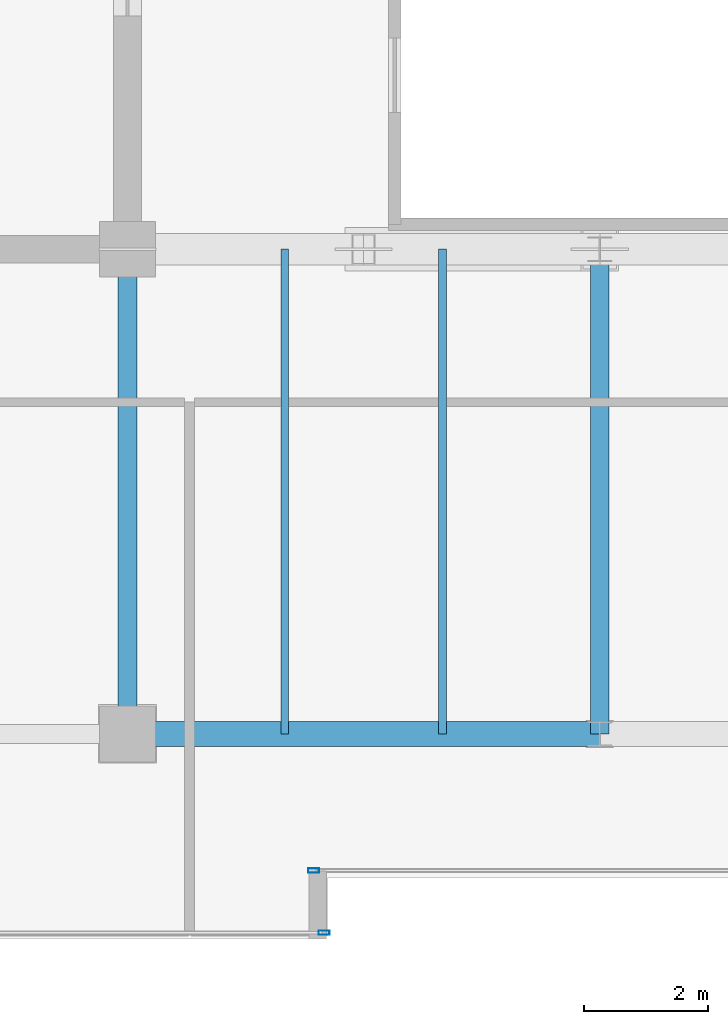
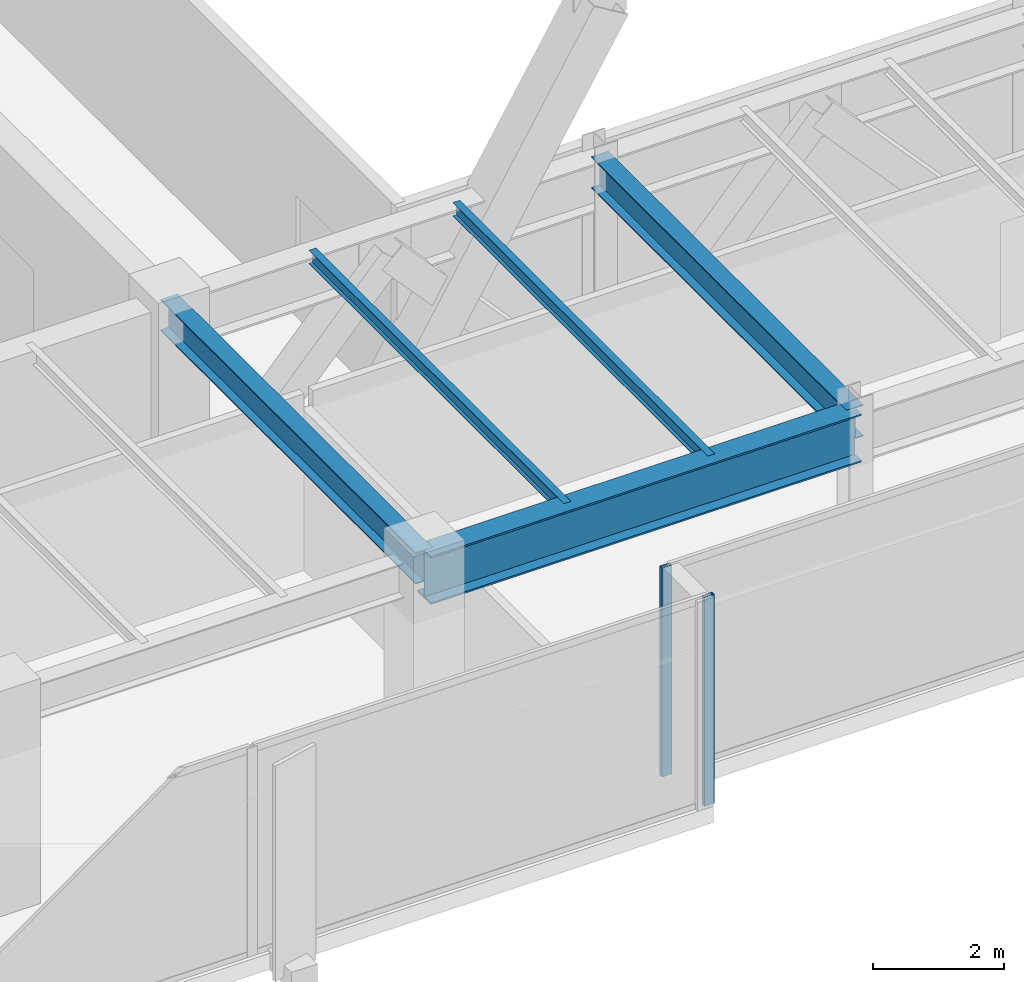
# One storey, part 6 of 32: 5 beams, 2 members, 2 elements without a shape of their own.
"""IFC4 building model written with IfcOpenShell, lengths in metres."""

import ifcopenshell
import ifcopenshell.guid

model = None  # the IFC model being written
_history = None  # IfcOwnerHistory: only IFC2X3 demands one
_inside = {}  # id of a spatial element -> (the spatial element, [elements in it])
_under = {}  # id of a project, library or spatial element -> (it, [spatial elements below it])
_declared = {}  # id of a project -> (the project, [libraries it declares])
_typed = {}  # id of a type object -> (the type object, [elements of that type])
_made_of = {}  # id of a material, layer set ... -> (it, [elements and type objects made of it])


def new_model(schema):
    """Start an empty IFC model of exactly this schema.

    Asked for "IFC4X3", IfcOpenShell would pick the latest addendum, in which some entities
    have other attributes; the version numbers below select the first issue.
    IFC2X3 requires an IfcOwnerHistory on every rooted entity: one is made here for all.
    """
    global model, _history
    if schema == "IFC4X3":
        model = ifcopenshell.file(schema_version=(4, 3, 0, 0))
    else:
        model = ifcopenshell.file(schema=schema)
    _inside.clear()
    _under.clear()
    _declared.clear()
    _typed.clear()
    _made_of.clear()
    _history = None
    if model.schema == "IFC2X3":
        org = make("IfcOrganization", Name="unknown")
        user = make(
            "IfcPersonAndOrganization",
            ThePerson=make("IfcPerson", FamilyName="unknown"),
            TheOrganization=org,
        )
        app = make(
            "IfcApplication",
            ApplicationDeveloper=org,
            Version="unknown",
            ApplicationFullName="unknown",
            ApplicationIdentifier="unknown",
        )
        _history = make(
            "IfcOwnerHistory",
            OwningUser=user,
            OwningApplication=app,
            ChangeAction="ADDED",
            CreationDate=0,
        )
    return model


def make(cls, **values):
    """One entity of the class cls with the attributes given. An attribute that is None is left unset."""
    return model.create_entity(
        cls, **{name: value for name, value in values.items() if value is not None}
    )


def rooted(cls, **values):
    """An entity with a GlobalId (a new one), such as an element, a storey or a relation."""
    return make(cls, GlobalId=ifcopenshell.guid.new(), OwnerHistory=_history, **values)


def si_unit(unit_type, name, prefix=None):
    """IfcSIUnit, for example si_unit("LENGTHUNIT", "METRE", prefix="MILLI")."""
    return make("IfcSIUnit", UnitType=unit_type, Prefix=prefix, Name=name)


def assignment(units):
    """IfcUnitAssignment: the units of a project."""
    return None if units is None else make("IfcUnitAssignment", Units=units)


def point(xyz):
    """IfcCartesianPoint."""
    return None if xyz is None else make("IfcCartesianPoint", Coordinates=xyz)


def direction(xyz):
    """IfcDirection."""
    return None if xyz is None else make("IfcDirection", DirectionRatios=xyz)


def frame(location, z_axis=None, x_axis=None):
    """IfcAxis2Placement3D, a coordinate frame: its origin and axes. An axis left out is left unset."""
    return make(
        "IfcAxis2Placement3D",
        Location=point(location),
        Axis=direction(z_axis),
        RefDirection=direction(x_axis),
    )


def frame_2d(location, x_axis=None):
    """IfcAxis2Placement2D, a coordinate frame in the plane: its origin and x axis."""
    return make(
        "IfcAxis2Placement2D", Location=point(location), RefDirection=direction(x_axis)
    )


def origin():
    """The frame at (0, 0, 0) with its axes left unset."""
    return frame((0.0, 0.0, 0.0))


def origin_2d():
    """The frame at (0, 0) in the plane with its x axis left unset."""
    return frame_2d((0.0, 0.0))


def place(relative_to, where):
    """IfcLocalPlacement: puts the frame where relative to a parent placement (None: the world)."""
    return make(
        "IfcLocalPlacement", PlacementRelTo=relative_to, RelativePlacement=where
    )


def context(
    kind, dimensions, precision=None, world=None, true_north=None, identifier=None
):
    """IfcGeometricRepresentationContext, for example the 3D "Model" context."""
    return make(
        "IfcGeometricRepresentationContext",
        ContextIdentifier=identifier,
        ContextType=kind,
        CoordinateSpaceDimension=dimensions,
        Precision=precision,
        WorldCoordinateSystem=world,
        TrueNorth=true_north,
    )


def subcontext(parent, identifier, kind, view, scale=None):
    """IfcGeometricRepresentationSubContext, for example "Body" below "Model"."""
    return make(
        "IfcGeometricRepresentationSubContext",
        ContextIdentifier=identifier,
        ContextType=kind,
        ParentContext=parent,
        TargetScale=scale,
        TargetView=view,
    )


def project(units=None, contexts=None):
    """IfcProject with its units and contexts."""
    return rooted(
        "IfcProject",
        Name="project",
        RepresentationContexts=contexts,
        UnitsInContext=assignment(units),
    )


def spatial(cls, under=None, at=None, **own):
    """A site, building, storey or space (cls), placed at a placement, below another one or the project."""
    s = rooted(cls, ObjectPlacement=at, **own)
    if under is not None:
        _under.setdefault(under.id(), (under, []))[1].append(s)
    return s


def profile(cls, at=None, kind="AREA", **sizes):
    """A parametric profile (cls). Its sizes go by their IFC names, for example OverallWidth=200.0."""
    return make(cls, ProfileType=kind, Position=at, **sizes)


def hollow_rectangle(**sizes):
    """IfcRectangleHollowProfileDef."""
    return profile("IfcRectangleHollowProfileDef", **sizes)


def i_section(**sizes):
    """IfcIShapeProfileDef."""
    return profile("IfcIShapeProfileDef", **sizes)


def extrude(swept, where, along, depth):
    """IfcExtrudedAreaSolid: the profile swept, set in the frame where, extruded along a direction by depth."""
    return make(
        "IfcExtrudedAreaSolid",
        SweptArea=swept,
        Position=where,
        ExtrudedDirection=direction(along),
        Depth=depth,
    )


def shape(context_of_items, identifier, shape_type, items):
    """IfcShapeRepresentation: the items that make up one representation, for example the "Body"."""
    return make(
        "IfcShapeRepresentation",
        ContextOfItems=context_of_items,
        RepresentationIdentifier=identifier,
        RepresentationType=shape_type,
        Items=items,
    )


def source(mapping_origin, context_of_items, identifier, shape_type, items):
    """IfcRepresentationMap: a shape defined once, which mapped items show again and again."""
    return make(
        "IfcRepresentationMap",
        MappingOrigin=mapping_origin,
        MappedRepresentation=shape(context_of_items, identifier, shape_type, items),
    )


def transform(
    local_origin,
    x_axis=None,
    y_axis=None,
    z_axis=None,
    scale=None,
    scale2=None,
    scale3=None,
    uniform=True,
):
    """IfcCartesianTransformationOperator3D, or its non-uniform kind. x_axis, y_axis, z_axis: its Axis1, 2, 3."""
    if uniform:
        return make(
            "IfcCartesianTransformationOperator3D",
            Axis1=direction(x_axis),
            Axis2=direction(y_axis),
            LocalOrigin=point(local_origin),
            Scale=scale,
            Axis3=direction(z_axis),
        )
    return make(
        "IfcCartesianTransformationOperator3DnonUniform",
        Axis1=direction(x_axis),
        Axis2=direction(y_axis),
        LocalOrigin=point(local_origin),
        Scale=scale,
        Axis3=direction(z_axis),
        Scale2=scale2,
        Scale3=scale3,
    )


def mapped(mapping_source, mapping_target):
    """IfcMappedItem: shows the shape of a source again, moved by a transform."""
    return make(
        "IfcMappedItem", MappingSource=mapping_source, MappingTarget=mapping_target
    )


def material(Name=None, Category=None):
    """IfcMaterial."""
    return make("IfcMaterial", Name=Name, Category=Category)


def layer(
    of_material, thickness, ventilated=None, Name=None, Category=None, Priority=None
):
    """IfcMaterialLayer: one layer of a wall or slab, of a material (None: an air gap)."""
    return make(
        "IfcMaterialLayer",
        Material=of_material,
        LayerThickness=thickness,
        IsVentilated=ventilated,
        Name=Name,
        Category=Category,
        Priority=Priority,
    )


def layer_set(layers, Name=None):
    """IfcMaterialLayerSet."""
    return make("IfcMaterialLayerSet", MaterialLayers=layers, LayerSetName=Name)


def material_profile(
    of_material, cross_section, Name=None, Category=None, Priority=None
):
    """IfcMaterialProfile: a cross section and its material."""
    return make(
        "IfcMaterialProfile",
        Name=Name,
        Material=of_material,
        Profile=cross_section,
        Priority=Priority,
        Category=Category,
    )


def profile_set(profiles, Name=None, composite=None):
    """IfcMaterialProfileSet."""
    return make(
        "IfcMaterialProfileSet",
        Name=Name,
        MaterialProfiles=profiles,
        CompositeProfile=composite,
    )


def made_of(thing, what):
    """Note that an element or type object is made of a material, layer set ...; save() writes the relation."""
    if what is not None:
        _made_of.setdefault(what.id(), (what, []))[1].append(thing)
    return thing


def type_object(cls, material=None, **own):
    """A type object (cls), such as IfcWallType, which elements share."""
    return made_of(rooted(cls, **own), material)


def type_shapes(of_type, sources):
    """Give a type object the sources (RepresentationMaps) that its elements show as mapped items."""
    of_type.RepresentationMaps = sources


def element(
    cls,
    number,
    at=None,
    inside=None,
    cuts=None,
    type_object=None,
    material=None,
    context=None,
    identifier="Body",
    shape_type=None,
    held_by="IfcProductDefinitionShape",
    body=None,
    shapes=None,
    **own,
):
    """One element of the class cls, such as IfcWall. Its Tag is "e" and its number.

    at: its placement. inside: the storey or other place that contains it. cuts: it is an
    opening in that element (IfcRelVoidsElement). A single representation is given by context,
    identifier, shape_type and body (its items); several are given by shapes. held_by: the class
    of the entity that holds the representations. save() writes the other relations.
    """
    e = rooted(cls, Tag="e%d" % number, ObjectPlacement=at, **own)
    if body is not None:
        shapes = [shape(context, identifier, shape_type, body)]
    if shapes is not None:
        e.Representation = make(held_by, Representations=shapes)
    if inside is not None:
        _inside.setdefault(inside.id(), (inside, []))[1].append(e)
    if cuts is not None:
        rooted(
            "IfcRelVoidsElement", RelatingBuildingElement=cuts, RelatedOpeningElement=e
        )
    if type_object is not None:
        _typed.setdefault(type_object.id(), (type_object, []))[1].append(e)
    return made_of(e, material)


def aggregate(whole, parts):
    """IfcRelAggregates: a whole, such as a stair, and the parts it consists of."""
    return rooted("IfcRelAggregates", RelatingObject=whole, RelatedObjects=parts)


def save(model, path):
    """Write the relations noted so far, then the file.

    IfcRelAggregates (storeys below a building ...), IfcRelContainedInSpatialStructure (elements
    in a storey), IfcRelDefinesByType, IfcRelAssociatesMaterial and IfcRelDeclares: one each for
    every whole, place, type object, material and project.
    """
    for whole, parts in _under.values():
        aggregate(whole, parts)
    for where, things in _inside.values():
        rooted(
            "IfcRelContainedInSpatialStructure",
            RelatedElements=things,
            RelatingStructure=where,
        )
    for kind, things in _typed.values():
        rooted("IfcRelDefinesByType", RelatedObjects=things, RelatingType=kind)
    for what, things in _made_of.values():
        rooted("IfcRelAssociatesMaterial", RelatedObjects=things, RelatingMaterial=what)
    for by, libraries in _declared.values():
        rooted("IfcRelDeclares", RelatingContext=by, RelatedDefinitions=libraries)
    model.write(path)


model = new_model("IFC4")

# Units and contexts
model_context = context("Model", 3, precision=1e-05, world=origin(), true_north=direction((0.0, 1.0)))
body_context = subcontext(model_context, "Body", "Model", "MODEL_VIEW")
ifc_project = project(units=[si_unit("LENGTHUNIT", "METRE"), si_unit("AREAUNIT", "SQUARE_METRE"), si_unit("VOLUMEUNIT", "CUBIC_METRE"), si_unit("PLANEANGLEUNIT", "RADIAN"), si_unit("MASSUNIT", "GRAM", prefix="KILO")], contexts=[model_context])

# Site, building, storey
site_placement = place(None, origin())
site = spatial("IfcSite", under=ifc_project, at=site_placement, CompositionType="ELEMENT")
building_placement = place(site_placement, origin())
building = spatial("IfcBuilding", under=site, at=building_placement, Name="Haelvirn Gate Laboratories", CompositionType="ELEMENT")
storey_placement = place(building_placement, frame((0.0, 0.0, 306.0)))
storey = spatial("IfcBuildingStorey", under=building, at=storey_placement, Name="L73", CompositionType="ELEMENT", Elevation=306.0)

# Beams
ifc_material_1 = material(Name="Steel SM420", Category="steel")
ifc_material_profile_1 = material_profile(ifc_material_1, i_section(OverallWidth=0.39990234375, OverallDepth=0.89990234375, WebThickness=0.01904296875, FlangeThickness=0.031982421875, at=origin_2d()), Name="H-900x400x19x32")
ifc_profile_set_1 = profile_set([ifc_material_profile_1], Name="Steel SM420")
beam_type_1 = type_object("IfcBeamType", Name="BM-TG-900", PredefinedType="BEAM", material=ifc_profile_set_1)
shared_shape_1 = source(origin(), body_context, "Body", "SweptSolid", [
    extrude(i_section(OverallWidth=0.39990234375, OverallDepth=0.89990234375, WebThickness=0.01904296875, FlangeThickness=0.031982421875, at=origin_2d()), origin(), (0.0, 0.0, 1.0), 7.60009765625),
])
type_shapes(beam_type_1, [shared_shape_1])
beam_placement = place(storey_placement, frame((22.199951171875, 7.0, 3.449951171875), z_axis=(1.0, 0.0, 0.0), x_axis=(0.0, 1.0, 0.0)))
element("IfcBeam", 1, at=beam_placement, inside=storey, type_object=beam_type_1, Name="L73 Primary Girder Y7.0 (22.2-29.8)", PredefinedType="BEAM", context=body_context, shape_type="MappedRepresentation", body=[
    mapped(shared_shape_1, transform((0.0, 0.0, 0.0), scale=1.0)),
])
ifc_material_2 = material(Name="Steel SM355", Category="steel")
ifc_material_profile_2 = material_profile(ifc_material_2, i_section(OverallWidth=0.300048828125, OverallDepth=0.587890625, WebThickness=0.011962890625, FlangeThickness=0.02001953125, at=origin_2d()), Name="H-588x300x12x20")
ifc_profile_set_2 = profile_set([ifc_material_profile_2], Name="Steel SM355")
beam_type_2 = type_object("IfcBeamType", Name="BM-G-588", PredefinedType="BEAM", material=ifc_profile_set_2)
shared_shape_2 = source(origin(), body_context, "Body", "SweptSolid", [
    extrude(i_section(OverallWidth=0.300048828125, OverallDepth=0.587890625, WebThickness=0.011962890625, FlangeThickness=0.02001953125, at=origin_2d()), origin(), (0.0, 0.0, 1.0), 7.800048828125),
])
type_shapes(beam_type_2, [shared_shape_2])
for number, where, z_axis, x_axis, name in (
    (2, (22.199951171875, 7.0, 3.60595703125), (0.0, 1.0, 0.0), (-1.0, 0.0, 0.0), "L73 Frame Girder X22.2 (7.0-14.8)"),
    (3, (29.800048828125, 7.0, 3.60595703125), (0.0, 1.0, 0.0), (-1.0, 0.0, 0.0), "L73 Frame Girder X29.8 (7.0-14.8)"),
):
    element("IfcBeam", number, at=place(storey_placement, frame(where, z_axis=z_axis, x_axis=x_axis)), inside=storey, type_object=beam_type_2, Name=name, PredefinedType="BEAM", context=body_context, shape_type="MappedRepresentation", body=[
        mapped(shared_shape_2, transform((0.0, 0.0, 0.0), scale=1.0)),
    ])
ifc_material_profile_3 = material_profile(ifc_material_2, i_section(OverallWidth=0.125, OverallDepth=0.25, WebThickness=0.006103515625, FlangeThickness=0.009033203125, at=origin_2d()), Name="H-250x125x6x9")
ifc_profile_set_3 = profile_set([ifc_material_profile_3], Name="Steel SM355")
beam_type_3 = type_object("IfcBeamType", Name="BM-J-250", PredefinedType="JOIST", material=ifc_profile_set_3)
shared_shape_3 = source(origin(), body_context, "Body", "SweptSolid", [
    extrude(i_section(OverallWidth=0.125, OverallDepth=0.25, WebThickness=0.006103515625, FlangeThickness=0.009033203125, at=origin_2d()), origin(), (0.0, 0.0, 1.0), 7.800048828125),
])
type_shapes(beam_type_3, [shared_shape_3])
for number, where, z_axis, x_axis, name in (
    (4, (24.72998046875, 7.0, 3.77490234375), (0.0, 1.0, 0.0), (-1.0, 0.0, 0.0), "L73 Composite Lab Joist South X24.73"),
    (5, (27.27001953125, 7.0, 3.77490234375), (0.0, 1.0, 0.0), (-1.0, 0.0, 0.0), "L73 Composite Lab Joist South X27.27"),
):
    element("IfcBeam", number, at=place(storey_placement, frame(where, z_axis=z_axis, x_axis=x_axis)), inside=storey, type_object=beam_type_3, Name=name, PredefinedType="JOIST", context=body_context, shape_type="MappedRepresentation", body=[
        mapped(shared_shape_3, transform((0.0, 0.0, 0.0), scale=1.0)),
    ])

# Curtain wall, member
ifc_material_3 = material(Name="Anodised bronze unitised aluminium & triple low-E glass", Category="aluminium")
ifc_layer = layer(ifc_material_3, 0.176025390625, Name="CW-SYS-4")
ifc_layer_set = layer_set([ifc_layer], Name="Anodised bronze unitised aluminium & triple low-E glass")
curtain_wall_type = type_object("IfcCurtainWallType", Name="CW-SYS-4", PredefinedType="NOTDEFINED", material=ifc_layer_set)
curtain_wall_1_placement = place(storey_placement, origin())
curtain_wall_1 = element("IfcCurtainWall", 6, at=curtain_wall_1_placement, inside=storey, type_object=curtain_wall_type, Name="L73 Unitised Curtain Wall CW-L73-P0-E00-1", PredefinedType="NOTDEFINED")
ifc_material_4 = material(Name="Extruded aluminium 6063-T6 (anodised bronze)", Category="aluminium")
ifc_material_profile_4 = material_profile(ifc_material_4, hollow_rectangle(XDim=0.070068359375, YDim=0.179931640625, WallThickness=0.0048828125, at=origin_2d()), Name="CWM-180x70x5")
ifc_profile_set_4 = profile_set([ifc_material_profile_4], Name="Extruded aluminium 6063-T6 (anodised bronze)")
member_type = type_object("IfcMemberType", Name="CWM-T180", PredefinedType="MULLION", material=ifc_profile_set_4)
shared_shape_4 = source(origin(), body_context, "Body", "SweptSolid", [
    extrude(hollow_rectangle(XDim=0.070068359375, YDim=0.179931640625, WallThickness=0.0048828125, at=origin_2d()), origin(), (0.0, 0.0, 1.0), 3.89990234375),
])
type_shapes(member_type, [shared_shape_4])
member_1_placement = place(storey_placement, frame((25.364990234375, 3.800048828125, 0.0), z_axis=(0.0, 0.0, 1.0), x_axis=(0.0, 1.0, 0.0)))
member_1 = element("IfcMember", 7, at=member_1_placement, type_object=member_type, Name="CW4 mullion 3", PredefinedType="MULLION", context=body_context, shape_type="MappedRepresentation", body=[
    mapped(shared_shape_4, transform((0.0, 0.0, 0.0), scale=1.0)),
])
aggregate(curtain_wall_1, [member_1])

curtain_wall_2_placement = place(storey_placement, origin())
curtain_wall_2 = element("IfcCurtainWall", 8, at=curtain_wall_2_placement, inside=storey, type_object=curtain_wall_type, Name="L73 Unitised Curtain Wall CW-L73-P0-E02-1", PredefinedType="NOTDEFINED")
member_2_placement = place(storey_placement, frame((25.195068359375, 4.800048828125, 0.0), z_axis=(0.0, 0.0, 1.0), x_axis=(0.0, 1.0, 0.0)))
member_2 = element("IfcMember", 9, at=member_2_placement, type_object=member_type, Name="CW4 mullion 1", PredefinedType="MULLION", context=body_context, shape_type="MappedRepresentation", body=[
    mapped(shared_shape_4, transform((0.0, 0.0, 0.0), scale=1.0)),
])
aggregate(curtain_wall_2, [member_2])

save(model, "model.ifc")
